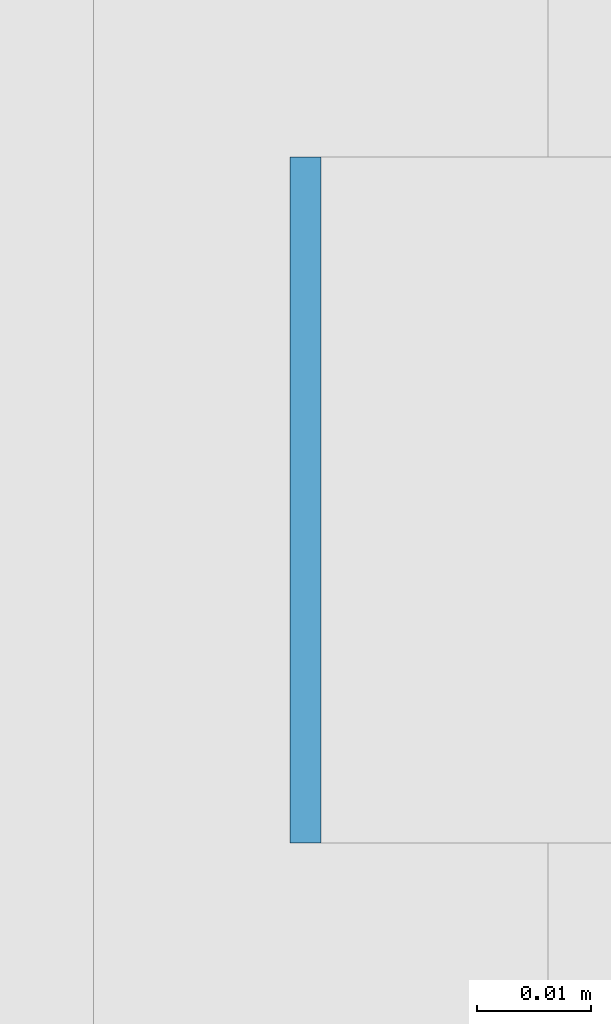
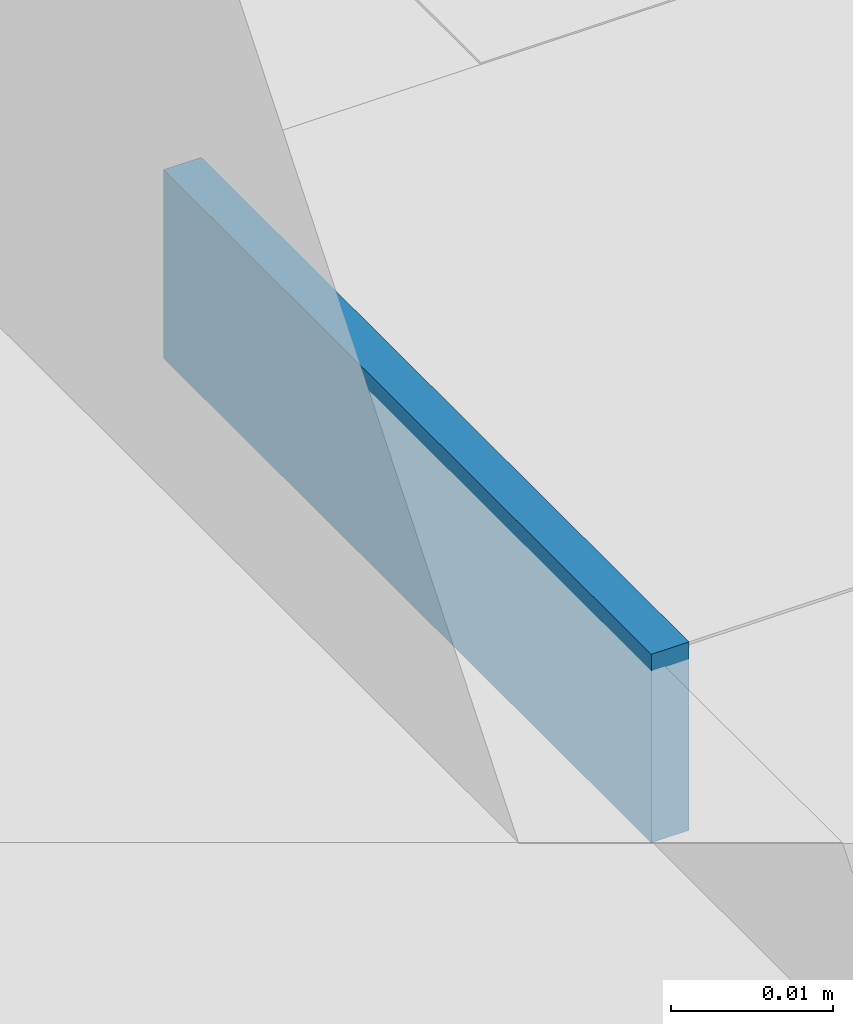
# One storey, part 563 of 646: 1 discrete accessory.
"""IFC4 building model written with IfcOpenShell, lengths in metres."""

from ifc_helpers import new_model, si_unit, direction, frame, origin, origin_2d, place, context, subcontext, project, spatial, rectangle, extrude, material, type_object, element, save


model = new_model("IFC4")

# Units and contexts
model_context = context("Model", 3, precision=1e-05, world=origin(), true_north=direction((0.0, 1.0)))
body_context = subcontext(model_context, "Body", "Model", "MODEL_VIEW")
ifc_project = project(units=[si_unit("LENGTHUNIT", "METRE"), si_unit("AREAUNIT", "SQUARE_METRE"), si_unit("VOLUMEUNIT", "CUBIC_METRE"), si_unit("PLANEANGLEUNIT", "RADIAN"), si_unit("MASSUNIT", "GRAM", prefix="KILO")], contexts=[model_context])

# Site, building, storey
site_placement = place(None, origin())
site = spatial("IfcSite", under=ifc_project, at=site_placement, CompositionType="ELEMENT")
building_placement = place(site_placement, origin())
building = spatial("IfcBuilding", under=site, at=building_placement, Name="Silverbay Arena", CompositionType="ELEMENT")
storey_placement = place(building_placement, frame((0.0, 0.0, 33.5)))
storey = spatial("IfcBuildingStorey", under=building, at=storey_placement, Name="L05", CompositionType="ELEMENT", Elevation=33.5)

# Discrete accessory
ifc_material = material(Name="Steel S355", Category="steel")
discrete_accessory_type = type_object("IfcDiscreteAccessoryType", Name="Steel bracket plate", PredefinedType="BRACKET", material=ifc_material)
discrete_accessory_placement = place(storey_placement, frame((207.128662109375, 102.857177734375, 12.98583984375), z_axis=(0.0, 0.0, 1.0), x_axis=(1.0, 0.0, 0.0)))
element("IfcDiscreteAccessory", 1, at=discrete_accessory_placement, inside=storey, type_object=discrete_accessory_type, Name="Curtain wall packing plate", PredefinedType="BRACKET", context=body_context, shape_type="SweptSolid", body=[
    extrude(rectangle(XDim=0.002685546875, YDim=0.06005859375, at=origin_2d()), origin(), (0.0, 0.0, 1.0), 0.01416015625),
])

save(model, "model.ifc")
